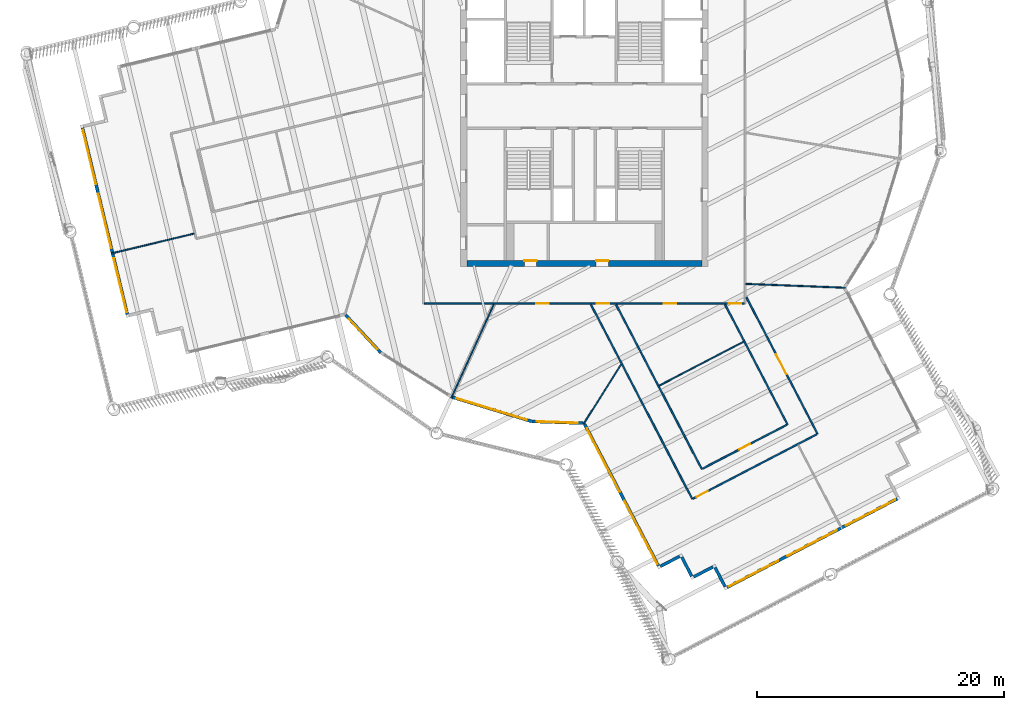
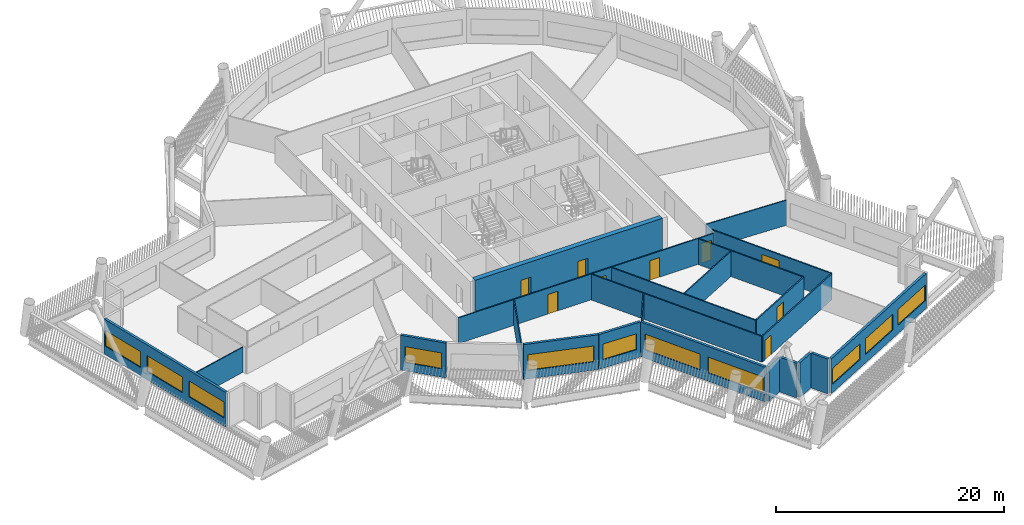
# One storey, part 3 of 22: 23 walls, 11 windows, 9 doors, 20 openings.
"""IFC4 building model written with IfcOpenShell, lengths in metres."""

from ifc_helpers import new_model, si_unit, direction, frame, frame_2d, origin, place, context, subcontext, project, spatial, rectangle, extrude, material, layer, layer_set, type_object, element, fill, save


model = new_model("IFC4")

# Units and contexts
model_context = context("Model", 3, precision=1e-05, world=origin(), true_north=direction((0.0, 1.0)))
body_context = subcontext(model_context, "Body", "Model", "MODEL_VIEW")
ifc_project = project(units=[si_unit("LENGTHUNIT", "METRE"), si_unit("AREAUNIT", "SQUARE_METRE"), si_unit("VOLUMEUNIT", "CUBIC_METRE"), si_unit("PLANEANGLEUNIT", "RADIAN"), si_unit("MASSUNIT", "GRAM", prefix="KILO")], contexts=[model_context])

# Site, building, storey
site_placement = place(None, origin())
site = spatial("IfcSite", under=ifc_project, at=site_placement, CompositionType="ELEMENT")
building_placement = place(site_placement, origin())
building = spatial("IfcBuilding", under=site, at=building_placement, Name="Tarsis Ring Headquarters", CompositionType="ELEMENT")
storey_placement = place(building_placement, frame((0.0, 0.0, 339.199951171875)))
storey = spatial("IfcBuildingStorey", under=building, at=storey_placement, Name="L80", CompositionType="ELEMENT", Elevation=339.199951171875)

# Wall, openings, doors
ifc_material_1 = material(Name="Concrete C50/60", Category="concrete")
ifc_layer_1 = layer(ifc_material_1, 0.5)
ifc_layer_set_1 = layer_set([ifc_layer_1], Name="Core wall 500 C50/60")
wall_type_1 = type_object("IfcWallType", Name="Core wall 500 C50/60", PredefinedType="SHEAR", material=ifc_layer_set_1)
wall_1_placement = place(storey_placement, frame((-9.5, -12.75, 0.0), z_axis=(0.0, 0.0, 1.0), x_axis=(1.0, 0.0, 0.0)))
wall_1 = element("IfcWall", 1, at=wall_1_placement, inside=storey, type_object=wall_type_1, Name="Core wall OS", PredefinedType="SHEAR", context=body_context, shape_type="SweptSolid", body=[
    extrude(rectangle(XDim=19.0, YDim=0.5, at=frame_2d((9.5, 0.0))), origin(), (0.0, 0.0, 1.0), 3.739990234375),
])
opening_1_placement = place(wall_1_placement, frame((4.64990234375, 0.0, 0.0)))
opening_1 = element("IfcOpeningElement", 2, at=opening_1_placement, cuts=wall_1, Name="Opening L80-C17", PredefinedType="OPENING", context=body_context, shape_type="SweptSolid", body=[
    extrude(rectangle(XDim=1.0, YDim=2.10009765625, at=frame_2d((0.5, 1.050048828125))), frame((0.0, 0.260009765625, 0.0), z_axis=(0.0, -1.0, 0.0), x_axis=(1.0, 0.0, 0.0)), (0.0, 0.0, 1.0), 0.52001953125),
])
opening_2_placement = place(wall_1_placement, frame((10.449951171875, 0.0, 0.0)))
opening_2 = element("IfcOpeningElement", 3, at=opening_2_placement, cuts=wall_1, Name="Opening L80-C18", PredefinedType="OPENING", context=body_context, shape_type="SweptSolid", body=[
    extrude(rectangle(XDim=1.0, YDim=2.10009765625, at=frame_2d((0.5, 1.050048828125))), frame((0.0, 0.260009765625, 0.0), z_axis=(0.0, -1.0, 0.0), x_axis=(1.0, 0.0, 0.0)), (0.0, 0.0, 1.0), 0.52001953125),
])
ifc_material_2 = material(Name="Steel S355", Category="steel")
door_type_1 = type_object("IfcDoorType", Name="Core room door 1000x2100", OperationType="SINGLE_SWING_LEFT", PredefinedType="DOOR", material=ifc_material_2)
door_1_placement = place(opening_1_placement, origin())
door_1 = element("IfcDoor", 4, at=door_1_placement, inside=storey, type_object=door_type_1, Name="Core room door L80", OperationType="SINGLE_SWING_LEFT", OverallHeight=2.10009765625, OverallWidth=1.0, PredefinedType="DOOR", context=body_context, shape_type="SweptSolid", body=[
    extrude(rectangle(XDim=1.0, YDim=2.10009765625, at=frame_2d((0.5, 1.050048828125))), frame((0.0, 0.25, 0.0), z_axis=(0.0, -1.0, 0.0), x_axis=(1.0, 0.0, 0.0)), (0.0, 0.0, 1.0), 0.050048828125),
])
fill(opening_1, door_1)
door_2_placement = place(opening_2_placement, origin())
door_2 = element("IfcDoor", 5, at=door_2_placement, inside=storey, type_object=door_type_1, Name="Core room door L80", OperationType="SINGLE_SWING_LEFT", OverallHeight=2.10009765625, OverallWidth=1.0, PredefinedType="DOOR", context=body_context, shape_type="SweptSolid", body=[
    extrude(rectangle(XDim=1.0, YDim=2.10009765625, at=frame_2d((0.5, 1.050048828125))), frame((0.0, 0.25, 0.0), z_axis=(0.0, -1.0, 0.0), x_axis=(1.0, 0.0, 0.0)), (0.0, 0.0, 1.0), 0.050048828125),
])
fill(opening_2, door_2)

# Walls
ifc_material_3 = material(Name="Gypsum board on steel studs", Category="steel")
ifc_layer_2 = layer(ifc_material_3, 0.10009765625)
ifc_layer_set_2 = layer_set([ifc_layer_2], Name="FL partition 100 unrated")
wall_type_2 = type_object("IfcWallType", Name="FL partition 100 unrated", PredefinedType="PARTITIONING", material=ifc_layer_set_2)
wall_2_placement = place(storey_placement, frame((-10.752197265625, -23.615234375, 0.0), z_axis=(0.0, 0.0, 1.0), x_axis=(0.41437106026, 0.910108028983, 0.0)))
element("IfcWall", 6, at=wall_2_placement, inside=storey, type_object=wall_type_2, Name="Partition PW3", PredefinedType="PARTITIONING", context=body_context, shape_type="SweptSolid", body=[
    extrude(rectangle(XDim=8.287353515625, YDim=0.10009765625, at=frame_2d((4.1435546875, 0.0))), origin(), (0.0, 0.0, 1.0), 2.699951171875),
])
wall_3_placement = place(storey_placement, frame((13.070068359375, -14.3994140625, 0.0), z_axis=(0.0, 0.0, 1.0), x_axis=(0.999242280144, -0.038921274035, 0.0)))
element("IfcWall", 7, at=wall_3_placement, inside=storey, type_object=wall_type_2, Name="Partition PW3", PredefinedType="PARTITIONING", context=body_context, shape_type="SweptSolid", body=[
    extrude(rectangle(XDim=8.0478515625, YDim=0.10009765625, at=frame_2d((4.02392578125, 0.0))), origin(), (0.0, 0.0, 1.0), 2.699951171875),
])
wall_4_placement = place(storey_placement, frame((6.06201171875, -22.62939453125, 0.0), z_axis=(0.0, 0.0, 1.0), x_axis=(0.886851670067, 0.462054234154, 0.0)))
element("IfcWall", 8, at=wall_4_placement, inside=storey, type_object=wall_type_2, Name="Partition PW3", PredefinedType="PARTITIONING", context=body_context, shape_type="SweptSolid", body=[
    extrude(rectangle(XDim=7.679931640625, YDim=0.10009765625, at=frame_2d((3.83984375, 0.0))), origin(), (0.0, 0.0, 1.0), 2.699951171875),
])
wall_5_placement = place(storey_placement, frame((-38.21875, -11.935791015625, 0.0), z_axis=(0.0, 0.0, 1.0), x_axis=(0.972280596246, 0.23381711264, 0.0)))
element("IfcWall", 9, at=wall_5_placement, inside=storey, type_object=wall_type_2, Name="Partition PW3", PredefinedType="PARTITIONING", context=body_context, shape_type="SweptSolid", body=[
    extrude(rectangle(XDim=6.860107421875, YDim=0.10009765625, at=frame_2d((3.43017578125, 0.0))), origin(), (0.0, 0.0, 1.0), 2.699951171875),
])
wall_6_placement = place(storey_placement, frame((-0.05029296875, -25.7119140625, 0.0), z_axis=(0.0, 0.0, 1.0), x_axis=(0.53328282747, 0.845937010613, 0.0)))
element("IfcWall", 10, at=wall_6_placement, inside=storey, type_object=wall_type_2, Name="Partition PW3", PredefinedType="PARTITIONING", context=body_context, shape_type="SweptSolid", body=[
    extrude(rectangle(XDim=5.666748046875, YDim=0.10009765625, at=frame_2d((2.83349609375, 0.0))), origin(), (0.0, 0.0, 1.0), 2.699951171875),
])

# Wall, openings, doors
ifc_layer_3 = layer(ifc_material_3, 0.125)
ifc_layer_set_3 = layer_set([ifc_layer_3], Name="FL partition 125 EI 60 H2770")
wall_type_3 = type_object("IfcWallType", Name="FL partition 125 EI 60 H2770", PredefinedType="PARTITIONING", material=ifc_layer_set_3)
wall_7_placement = place(storey_placement, frame((-12.93994140625, -16.0, 0.0), z_axis=(0.0, 0.0, 1.0), x_axis=(1.0, 0.0, 0.0)))
wall_7 = element("IfcWall", 11, at=wall_7_placement, inside=storey, type_object=wall_type_3, Name="Partition PW1", PredefinedType="PARTITIONING", context=body_context, shape_type="SweptSolid", body=[
    extrude(rectangle(XDim=25.8798828125, YDim=0.125, at=frame_2d((12.93994140625, 0.0))), origin(), (0.0, 0.0, 1.0), 2.77001953125),
])
opening_3_placement = place(wall_7_placement, frame((9.04736328125, 0.0, 0.0)))
opening_3 = element("IfcOpeningElement", 12, at=opening_3_placement, cuts=wall_7, Name="Opening D80.11", PredefinedType="OPENING", context=body_context, shape_type="SweptSolid", body=[
    extrude(rectangle(XDim=1.0, YDim=2.10009765625, at=frame_2d((0.5, 1.050048828125))), frame((0.0, 0.072509765625, 0.0), z_axis=(0.0, -1.0, 0.0), x_axis=(1.0, 0.0, 0.0)), (0.0, 0.0, 1.0), 0.14501953125),
])
opening_4_placement = place(wall_7_placement, frame((19.3779296875, 0.0, 0.0)))
opening_4 = element("IfcOpeningElement", 13, at=opening_4_placement, cuts=wall_7, Name="Opening D80.15", PredefinedType="OPENING", context=body_context, shape_type="SweptSolid", body=[
    extrude(rectangle(XDim=1.0, YDim=2.10009765625, at=frame_2d((0.5, 1.050048828125))), frame((0.0, 0.072509765625, 0.0), z_axis=(0.0, -1.0, 0.0), x_axis=(1.0, 0.0, 0.0)), (0.0, 0.0, 1.0), 0.14501953125),
])
opening_5_placement = place(wall_7_placement, frame((13.954345703125, 0.0, 0.0)))
opening_5 = element("IfcOpeningElement", 14, at=opening_5_placement, cuts=wall_7, Name="Opening D80.17", PredefinedType="OPENING", context=body_context, shape_type="SweptSolid", body=[
    extrude(rectangle(XDim=1.0, YDim=2.10009765625, at=frame_2d((0.5, 1.050048828125))), frame((0.0, 0.072509765625, 0.0), z_axis=(0.0, -1.0, 0.0), x_axis=(1.0, 0.0, 0.0)), (0.0, 0.0, 1.0), 0.14501953125),
])
opening_6_placement = place(wall_7_placement, frame((24.61328125, 0.0, 0.0)))
opening_6 = element("IfcOpeningElement", 15, at=opening_6_placement, cuts=wall_7, Name="Opening D80.18", PredefinedType="OPENING", context=body_context, shape_type="SweptSolid", body=[
    extrude(rectangle(XDim=1.0, YDim=2.10009765625, at=frame_2d((0.5, 1.050048828125))), frame((0.0, 0.072509765625, 0.0), z_axis=(0.0, -1.0, 0.0), x_axis=(1.0, 0.0, 0.0)), (0.0, 0.0, 1.0), 0.14501953125),
])
ifc_material_4 = material(Name="Fire-rated timber door leaf in steel frame", Category="steel")
door_type_2 = type_object("IfcDoorType", Name="FL door FD60-1000", OperationType="NOTDEFINED", PredefinedType="DOOR", material=ifc_material_4)
door_3_placement = place(opening_3_placement, origin())
door_3 = element("IfcDoor", 16, at=door_3_placement, inside=storey, type_object=door_type_2, Name="Door D80.11", OperationType="SINGLE_SWING_LEFT", OverallHeight=2.10009765625, OverallWidth=1.0, PredefinedType="DOOR", context=body_context, shape_type="SweptSolid", body=[
    extrude(rectangle(XDim=1.0, YDim=2.10009765625, at=frame_2d((0.5, 1.050048828125))), frame((0.0, 0.02490234375, 0.0), z_axis=(0.0, -1.0, 0.0), x_axis=(1.0, 0.0, 0.0)), (0.0, 0.0, 1.0), 0.050048828125),
])
fill(opening_3, door_3)
door_4_placement = place(opening_4_placement, origin())
door_4 = element("IfcDoor", 17, at=door_4_placement, inside=storey, type_object=door_type_2, Name="Door D80.15", OperationType="SINGLE_SWING_LEFT", OverallHeight=2.10009765625, OverallWidth=1.0, PredefinedType="DOOR", context=body_context, shape_type="SweptSolid", body=[
    extrude(rectangle(XDim=1.0, YDim=2.10009765625, at=frame_2d((0.5, 1.050048828125))), frame((0.0, 0.02490234375, 0.0), z_axis=(0.0, -1.0, 0.0), x_axis=(1.0, 0.0, 0.0)), (0.0, 0.0, 1.0), 0.050048828125),
])
fill(opening_4, door_4)
door_5_placement = place(opening_5_placement, origin())
door_5 = element("IfcDoor", 18, at=door_5_placement, inside=storey, type_object=door_type_2, Name="Door D80.17", OperationType="SINGLE_SWING_LEFT", OverallHeight=2.10009765625, OverallWidth=1.0, PredefinedType="DOOR", context=body_context, shape_type="SweptSolid", body=[
    extrude(rectangle(XDim=1.0, YDim=2.10009765625, at=frame_2d((0.5, 1.050048828125))), frame((0.0, 0.02490234375, 0.0), z_axis=(0.0, -1.0, 0.0), x_axis=(1.0, 0.0, 0.0)), (0.0, 0.0, 1.0), 0.050048828125),
])
fill(opening_5, door_5)
door_6_placement = place(opening_6_placement, origin())
door_6 = element("IfcDoor", 19, at=door_6_placement, inside=storey, type_object=door_type_2, Name="Door D80.18", OperationType="SINGLE_SWING_RIGHT", OverallHeight=2.10009765625, OverallWidth=1.0, PredefinedType="DOOR", context=body_context, shape_type="SweptSolid", body=[
    extrude(rectangle(XDim=1.0, YDim=2.10009765625, at=frame_2d((0.5, 1.050048828125))), frame((0.0, 0.02490234375, 0.0), z_axis=(0.0, -1.0, 0.0), x_axis=(1.0, 0.0, 0.0)), (0.0, 0.0, 1.0), 0.050048828125),
])
fill(opening_6, door_6)

# Walls
wall_8_placement = place(storey_placement, frame((0.541015625, -16.079833984375, 0.0), z_axis=(0.0, 0.0, 1.0), x_axis=(0.462061914962, -0.886847668285, 0.0)))
element("IfcWall", 20, at=wall_8_placement, inside=storey, type_object=wall_type_3, Name="Partition PW1", PredefinedType="PARTITIONING", context=body_context, shape_type="SweptSolid", body=[
    extrude(rectangle(XDim=17.7294921875, YDim=0.125, at=frame_2d((8.86474609375, 0.0))), origin(), (0.0, 0.0, 1.0), 2.77001953125),
])
wall_9_placement = place(storey_placement, frame((2.57080078125, -16.079833984375, 0.0), z_axis=(0.0, 0.0, 1.0), x_axis=(0.462055576594, -0.886850970647, 0.0)))
element("IfcWall", 21, at=wall_9_placement, inside=storey, type_object=wall_type_3, Name="Partition PW1", PredefinedType="PARTITIONING", context=body_context, shape_type="SweptSolid", body=[
    extrude(rectangle(XDim=14.99169921875, YDim=0.125, at=frame_2d((7.495849609375, 0.0))), origin(), (0.0, 0.0, 1.0), 2.77001953125),
])

# Wall, opening, door
wall_10_placement = place(storey_placement, frame((13.106201171875, -15.4814453125, 0.0), z_axis=(0.0, 0.0, 1.0), x_axis=(0.462072869652, -0.886841960628, 0.0)))
wall_10 = element("IfcWall", 22, at=wall_10_placement, inside=storey, type_object=wall_type_3, Name="Partition PW1", PredefinedType="PARTITIONING", context=body_context, shape_type="SweptSolid", body=[
    extrude(rectangle(XDim=12.45458984375, YDim=0.125, at=frame_2d((6.227294921875, 0.0))), origin(), (0.0, 0.0, 1.0), 2.77001953125),
])
opening_7_placement = place(wall_10_placement, frame((5.212158203125, 0.0, 0.0)))
opening_7 = element("IfcOpeningElement", 23, at=opening_7_placement, cuts=wall_10, Name="Opening D80.09", PredefinedType="OPENING", context=body_context, shape_type="SweptSolid", body=[
    extrude(rectangle(XDim=1.800048828125, YDim=2.10009765625, at=frame_2d((0.89990234375, 1.050048828125))), frame((0.0, 0.072509765625, 0.0), z_axis=(0.0, -1.0, 0.0), x_axis=(1.0, 0.0, 0.0)), (0.0, 0.0, 1.0), 0.14501953125),
])
door_type_3 = type_object("IfcDoorType", Name="FL door FD60-1800", OperationType="DOUBLE_DOOR_SINGLE_SWING", PredefinedType="DOOR", material=ifc_material_4)
door_7_placement = place(opening_7_placement, origin())
door_7 = element("IfcDoor", 24, at=door_7_placement, inside=storey, type_object=door_type_3, Name="Door D80.09", OperationType="DOUBLE_DOOR_SINGLE_SWING", OverallHeight=2.10009765625, OverallWidth=1.800048828125, PredefinedType="DOOR", context=body_context, shape_type="SweptSolid", body=[
    extrude(rectangle(XDim=1.800048828125, YDim=2.10009765625, at=frame_2d((0.89990234375, 1.050048828125))), frame((0.0, 0.02490234375, 0.0), z_axis=(0.0, -1.0, 0.0), x_axis=(1.0, 0.0, 0.0)), (0.0, 0.0, 1.0), 0.050048828125),
])
fill(opening_7, door_7)

wall_11_placement = place(storey_placement, frame((8.786376953125, -31.775634765625, 0.0), z_axis=(0.0, 0.0, 1.0), x_axis=(0.886853590627, 0.462050547875, 0.0)))
wall_11 = element("IfcWall", 25, at=wall_11_placement, inside=storey, type_object=wall_type_3, Name="Partition PW1", PredefinedType="PARTITIONING", context=body_context, shape_type="SweptSolid", body=[
    extrude(rectangle(XDim=11.300048828125, YDim=0.125, at=frame_2d((5.64990234375, 0.0))), origin(), (0.0, 0.0, 1.0), 2.77001953125),
])
opening_8_placement = place(wall_11_placement, frame((0.340087890625, 0.0, 0.0)))
opening_8 = element("IfcOpeningElement", 26, at=opening_8_placement, cuts=wall_11, Name="Opening D80.10", PredefinedType="OPENING", context=body_context, shape_type="SweptSolid", body=[
    extrude(rectangle(XDim=1.0, YDim=2.10009765625, at=frame_2d((0.5, 1.050048828125))), frame((0.0, 0.072509765625, 0.0), z_axis=(0.0, -1.0, 0.0), x_axis=(1.0, 0.0, 0.0)), (0.0, 0.0, 1.0), 0.14501953125),
])
door_8_placement = place(opening_8_placement, origin())
door_8 = element("IfcDoor", 27, at=door_8_placement, inside=storey, type_object=door_type_2, Name="Door D80.10", OperationType="SINGLE_SWING_RIGHT", OverallHeight=2.10009765625, OverallWidth=1.0, PredefinedType="DOOR", context=body_context, shape_type="SweptSolid", body=[
    extrude(rectangle(XDim=1.0, YDim=2.10009765625, at=frame_2d((0.5, 1.050048828125))), frame((0.0, 0.02490234375, 0.0), z_axis=(0.0, -1.0, 0.0), x_axis=(1.0, 0.0, 0.0)), (0.0, 0.0, 1.0), 0.050048828125),
])
fill(opening_8, door_8)

# Wall
wall_12_placement = place(storey_placement, frame((11.388427734375, -16.079833984375, 0.0), z_axis=(0.0, 0.0, 1.0), x_axis=(0.462053884886, -0.886851852037, 0.0)))
element("IfcWall", 28, at=wall_12_placement, inside=storey, type_object=wall_type_3, Name="Partition PW1", PredefinedType="PARTITIONING", context=body_context, shape_type="SweptSolid", body=[
    extrude(rectangle(XDim=10.91748046875, YDim=0.125, at=frame_2d((5.458740234375, 0.0))), origin(), (0.0, 0.0, 1.0), 2.77001953125),
])

# Wall, opening, door
wall_13_placement = place(storey_placement, frame((9.551025390625, -29.34765625, 0.0), z_axis=(0.0, 0.0, 1.0), x_axis=(0.886845334308, 0.462066394597, 0.0)))
wall_13 = element("IfcWall", 29, at=wall_13_placement, inside=storey, type_object=wall_type_3, Name="Partition PW1", PredefinedType="PARTITIONING", context=body_context, shape_type="SweptSolid", body=[
    extrude(rectangle(XDim=7.699951171875, YDim=0.125, at=frame_2d((3.85009765625, 0.0))), origin(), (0.0, 0.0, 1.0), 2.77001953125),
])
opening_9_placement = place(wall_13_placement, frame((3.35009765625, 0.0, 0.0)))
opening_9 = element("IfcOpeningElement", 30, at=opening_9_placement, cuts=wall_13, Name="Opening D80.16", PredefinedType="OPENING", context=body_context, shape_type="SweptSolid", body=[
    extrude(rectangle(XDim=1.0, YDim=2.10009765625, at=frame_2d((0.5, 1.050048828125))), frame((0.0, 0.072509765625, 0.0), z_axis=(0.0, -1.0, 0.0), x_axis=(1.0, 0.0, 0.0)), (0.0, 0.0, 1.0), 0.14501953125),
])
door_9_placement = place(opening_9_placement, origin())
door_9 = element("IfcDoor", 31, at=door_9_placement, inside=storey, type_object=door_type_2, Name="Door D80.16", OperationType="SINGLE_SWING_RIGHT", OverallHeight=2.10009765625, OverallWidth=1.0, PredefinedType="DOOR", context=body_context, shape_type="SweptSolid", body=[
    extrude(rectangle(XDim=1.0, YDim=2.10009765625, at=frame_2d((0.5, 1.050048828125))), frame((0.0, 0.02490234375, 0.0), z_axis=(0.0, -1.0, 0.0), x_axis=(1.0, 0.0, 0.0)), (0.0, 0.0, 1.0), 0.050048828125),
])
fill(opening_9, door_9)

# Wall, opening, window
ifc_material_5 = material(Name="Terracotta clad insulated panel wall", Category="masonry")
ifc_layer_4 = layer(ifc_material_5, 0.25)
ifc_layer_set_4 = layer_set([ifc_layer_4], Name="Facade wall terracotta panel 250")
wall_type_4 = type_object("IfcWallType", Name="Facade wall terracotta panel 250", PredefinedType="STANDARD", material=ifc_layer_set_4)
wall_14_placement = place(storey_placement, frame((-19.298583984375, -16.9189453125, 0.0), z_axis=(0.0, 0.0, 1.0), x_axis=(0.682226187519, -0.731141182716, 0.0)))
wall_14 = element("IfcWall", 32, at=wall_14_placement, inside=storey, type_object=wall_type_4, Name="External wall L80-02", PredefinedType="STANDARD", context=body_context, shape_type="SweptSolid", body=[
    extrude(rectangle(XDim=4.15771484375, YDim=0.25, at=frame_2d((2.078857421875, 0.0))), origin(), (0.0, 0.0, 1.0), 3.739990234375),
])
opening_10_placement = place(wall_14_placement, frame((0.420166015625, 0.0, 0.89990234375)))
opening_10 = element("IfcOpeningElement", 33, at=opening_10_placement, cuts=wall_14, Name="Opening WN01", PredefinedType="OPENING", context=body_context, shape_type="SweptSolid", body=[
    extrude(rectangle(XDim=3.35009765625, YDim=1.699951171875, at=frame_2d((1.675048828125, 0.85009765625))), frame((0.0, 0.135009765625, 0.0), z_axis=(0.0, -1.0, 0.0), x_axis=(1.0, 0.0, 0.0)), (0.0, 0.0, 1.0), 0.27001953125),
])
ifc_material_6 = material(Name="Aluminium framed double glazing", Category="aluminium")
window_type_1 = type_object("IfcWindowType", Name="Facade window 3350 x 1700", PartitioningType="SINGLE_PANEL", PredefinedType="WINDOW", material=ifc_material_6)
window_1_placement = place(opening_10_placement, origin())
window_1 = element("IfcWindow", 34, at=window_1_placement, inside=storey, type_object=window_type_1, Name="Window L80-02.1", OverallHeight=1.699951171875, OverallWidth=3.35009765625, PartitioningType="SINGLE_PANEL", PredefinedType="WINDOW", context=body_context, shape_type="SweptSolid", body=[
    extrude(rectangle(XDim=3.35009765625, YDim=1.699951171875, at=frame_2d((1.675048828125, 0.85009765625))), frame((0.0, 0.030029296875, 0.0), z_axis=(0.0, -1.0, 0.0), x_axis=(1.0, 0.0, 0.0)), (0.0, 0.0, 1.0), 0.06005859375),
])
fill(opening_10, window_1)

wall_15_placement = place(storey_placement, frame((-10.705810546875, -23.552734375, 0.0), z_axis=(0.0, 0.0, 1.0), x_axis=(0.956398083046, -0.292066271155, 0.0)))
wall_15 = element("IfcWall", 35, at=wall_15_placement, inside=storey, type_object=wall_type_4, Name="External wall L80-04", PredefinedType="STANDARD", context=body_context, shape_type="SweptSolid", body=[
    extrude(rectangle(XDim=6.721435546875, YDim=0.25, at=frame_2d((3.36083984375, 0.0))), origin(), (0.0, 0.0, 1.0), 3.739990234375),
])
opening_11_placement = place(wall_15_placement, frame((0.3857421875, 0.0, 0.89990234375)))
opening_11 = element("IfcOpeningElement", 36, at=opening_11_placement, cuts=wall_15, Name="Opening WN07", PredefinedType="OPENING", context=body_context, shape_type="SweptSolid", body=[
    extrude(rectangle(XDim=5.949951171875, YDim=1.699951171875, at=frame_2d((2.97509765625, 0.85009765625))), frame((0.0, 0.135009765625, 0.0), z_axis=(0.0, -1.0, 0.0), x_axis=(1.0, 0.0, 0.0)), (0.0, 0.0, 1.0), 0.27001953125),
])
window_type_2 = type_object("IfcWindowType", Name="Facade window 5950 x 1700", PartitioningType="SINGLE_PANEL", PredefinedType="WINDOW", material=ifc_material_6)
window_2_placement = place(opening_11_placement, origin())
window_2 = element("IfcWindow", 37, at=window_2_placement, inside=storey, type_object=window_type_2, Name="Window L80-04.1", OverallHeight=1.699951171875, OverallWidth=5.949951171875, PartitioningType="SINGLE_PANEL", PredefinedType="WINDOW", context=body_context, shape_type="SweptSolid", body=[
    extrude(rectangle(XDim=5.949951171875, YDim=1.699951171875, at=frame_2d((2.97509765625, 0.85009765625))), frame((0.0, 0.030029296875, 0.0), z_axis=(0.0, -1.0, 0.0), x_axis=(1.0, 0.0, 0.0)), (0.0, 0.0, 1.0), 0.06005859375),
])
fill(opening_11, window_2)

wall_16_placement = place(storey_placement, frame((-4.2451171875, -25.521240234375, 0.0), z_axis=(0.0, 0.0, 1.0), x_axis=(0.999403695637, -0.034529018922, 0.0)))
wall_16 = element("IfcWall", 38, at=wall_16_placement, inside=storey, type_object=wall_type_4, Name="External wall L80-05", PredefinedType="STANDARD", context=body_context, shape_type="SweptSolid", body=[
    extrude(rectangle(XDim=4.157470703125, YDim=0.25, at=frame_2d((2.07861328125, 0.0))), origin(), (0.0, 0.0, 1.0), 3.739990234375),
])
opening_12_placement = place(wall_16_placement, frame((0.38720703125, 0.0, 0.89990234375)))
opening_12 = element("IfcOpeningElement", 39, at=opening_12_placement, cuts=wall_16, Name="Opening WN01", PredefinedType="OPENING", context=body_context, shape_type="SweptSolid", body=[
    extrude(rectangle(XDim=3.35009765625, YDim=1.699951171875, at=frame_2d((1.675048828125, 0.85009765625))), frame((0.0, 0.135009765625, 0.0), z_axis=(0.0, -1.0, 0.0), x_axis=(1.0, 0.0, 0.0)), (0.0, 0.0, 1.0), 0.27001953125),
])
window_3_placement = place(opening_12_placement, origin())
window_3 = element("IfcWindow", 40, at=window_3_placement, inside=storey, type_object=window_type_1, Name="Window L80-05.1", OverallHeight=1.699951171875, OverallWidth=3.35009765625, PartitioningType="SINGLE_PANEL", PredefinedType="WINDOW", context=body_context, shape_type="SweptSolid", body=[
    extrude(rectangle(XDim=3.35009765625, YDim=1.699951171875, at=frame_2d((1.675048828125, 0.85009765625))), frame((0.0, 0.030029296875, 0.0), z_axis=(0.0, -1.0, 0.0), x_axis=(1.0, 0.0, 0.0)), (0.0, 0.0, 1.0), 0.06005859375),
])
fill(opening_12, window_3)

# Wall, openings, windows
wall_17_placement = place(storey_placement, frame((0.0166015625, -25.73193359375, 0.0), z_axis=(0.0, 0.0, 1.0), x_axis=(0.462054547348, -0.886851506891, 0.0)))
wall_17 = element("IfcWall", 41, at=wall_17_placement, inside=storey, type_object=wall_type_4, Name="External wall L80-06", PredefinedType="STANDARD", context=body_context, shape_type="SweptSolid", body=[
    extrude(rectangle(XDim=12.922119140625, YDim=0.25, at=frame_2d((6.4609375, 0.0))), origin(), (0.0, 0.0, 1.0), 3.739990234375),
])
opening_13_placement = place(wall_17_placement, frame((0.41796875, 0.0, 0.89990234375)))
opening_13 = element("IfcOpeningElement", 42, at=opening_13_placement, cuts=wall_17, Name="Opening WN06", PredefinedType="OPENING", context=body_context, shape_type="SweptSolid", body=[
    extrude(rectangle(XDim=5.75, YDim=1.699951171875, at=frame_2d((2.875, 0.85009765625))), frame((0.0, 0.135009765625, 0.0), z_axis=(0.0, -1.0, 0.0), x_axis=(1.0, 0.0, 0.0)), (0.0, 0.0, 1.0), 0.27001953125),
])
opening_14_placement = place(wall_17_placement, frame((7.00390625, 0.0, 0.89990234375)))
opening_14 = element("IfcOpeningElement", 43, at=opening_14_placement, cuts=wall_17, Name="Opening WN06", PredefinedType="OPENING", context=body_context, shape_type="SweptSolid", body=[
    extrude(rectangle(XDim=5.75, YDim=1.699951171875, at=frame_2d((2.875, 0.85009765625))), frame((0.0, 0.135009765625, 0.0), z_axis=(0.0, -1.0, 0.0), x_axis=(1.0, 0.0, 0.0)), (0.0, 0.0, 1.0), 0.27001953125),
])
window_type_3 = type_object("IfcWindowType", Name="Facade window 5750 x 1700", PartitioningType="SINGLE_PANEL", PredefinedType="WINDOW", material=ifc_material_6)
window_4_placement = place(opening_13_placement, origin())
window_4 = element("IfcWindow", 44, at=window_4_placement, inside=storey, type_object=window_type_3, Name="Window L80-06.1", OverallHeight=1.699951171875, OverallWidth=5.75, PartitioningType="SINGLE_PANEL", PredefinedType="WINDOW", context=body_context, shape_type="SweptSolid", body=[
    extrude(rectangle(XDim=5.75, YDim=1.699951171875, at=frame_2d((2.875, 0.85009765625))), frame((0.0, 0.030029296875, 0.0), z_axis=(0.0, -1.0, 0.0), x_axis=(1.0, 0.0, 0.0)), (0.0, 0.0, 1.0), 0.06005859375),
])
fill(opening_13, window_4)
window_5_placement = place(opening_14_placement, origin())
window_5 = element("IfcWindow", 45, at=window_5_placement, inside=storey, type_object=window_type_3, Name="Window L80-06.2", OverallHeight=1.699951171875, OverallWidth=5.75, PartitioningType="SINGLE_PANEL", PredefinedType="WINDOW", context=body_context, shape_type="SweptSolid", body=[
    extrude(rectangle(XDim=5.75, YDim=1.699951171875, at=frame_2d((2.875, 0.85009765625))), frame((0.0, 0.030029296875, 0.0), z_axis=(0.0, -1.0, 0.0), x_axis=(1.0, 0.0, 0.0)), (0.0, 0.0, 1.0), 0.06005859375),
])
fill(opening_14, window_5)

# Walls
for number, where, z_axis, x_axis, name in (
    (46, (6.15576171875, -37.244873046875, 0.0), (0.0, 0.0, 1.0), (0.886853348302, 0.46205101299, 0.0), "External wall L80-07"),
    (47, (7.87646484375, -36.489501953125, 0.0), (0.0, 0.0, 1.0), (0.46205101299, -0.886853348302, 0.0), "External wall L80-08"),
    (48, (8.853759765625, -38.094482421875, 0.0), (0.0, 0.0, 1.0), (0.886853348302, 0.46205101299, 0.0), "External wall L80-09"),
):
    element("IfcWall", number, at=place(storey_placement, frame(where, z_axis=z_axis, x_axis=x_axis)), inside=storey, type_object=wall_type_4, Name=name, PredefinedType="STANDARD", context=body_context, shape_type="SweptSolid", body=[
        extrude(rectangle(XDim=1.75, YDim=0.25, at=frame_2d((0.875, 0.0))), origin(), (0.0, 0.0, 1.0), 3.739990234375),
    ])
wall_18_placement = place(storey_placement, frame((10.57421875, -37.339111328125, 0.0), z_axis=(0.0, 0.0, 1.0), x_axis=(0.462108185568, -0.886823559019, 0.0)))
element("IfcWall", 49, at=wall_18_placement, inside=storey, type_object=wall_type_4, Name="External wall L80-10", PredefinedType="STANDARD", context=body_context, shape_type="SweptSolid", body=[
    extrude(rectangle(XDim=1.749755859375, YDim=0.25, at=frame_2d((0.875, 0.0))), origin(), (0.0, 0.0, 1.0), 3.739990234375),
])

# Wall, openings, windows
wall_19_placement = place(storey_placement, frame((11.551513671875, -38.944091796875, 0.0), z_axis=(0.0, 0.0, 1.0), x_axis=(0.886849543892, 0.462058315041, 0.0)))
wall_19 = element("IfcWall", 50, at=wall_19_placement, inside=storey, type_object=wall_type_4, Name="External wall L80-11", PredefinedType="STANDARD", context=body_context, shape_type="SweptSolid", body=[
    extrude(rectangle(XDim=15.5, YDim=0.25, at=frame_2d((7.75, 0.0))), origin(), (0.0, 0.0, 1.0), 3.739990234375),
])
opening_15_placement = place(wall_19_placement, frame((0.166748046875, 0.0, 0.89990234375)))
opening_15 = element("IfcOpeningElement", 51, at=opening_15_placement, cuts=wall_19, Name="Opening WN04", PredefinedType="OPENING", context=body_context, shape_type="SweptSolid", body=[
    extrude(rectangle(XDim=4.5, YDim=1.699951171875, at=frame_2d((2.25, 0.85009765625))), frame((0.0, 0.135009765625, 0.0), z_axis=(0.0, -1.0, 0.0), x_axis=(1.0, 0.0, 0.0)), (0.0, 0.0, 1.0), 0.27001953125),
])
opening_16_placement = place(wall_19_placement, frame((5.5, 0.0, 0.89990234375)))
opening_16 = element("IfcOpeningElement", 52, at=opening_16_placement, cuts=wall_19, Name="Opening WN04", PredefinedType="OPENING", context=body_context, shape_type="SweptSolid", body=[
    extrude(rectangle(XDim=4.5, YDim=1.699951171875, at=frame_2d((2.25, 0.85009765625))), frame((0.0, 0.135009765625, 0.0), z_axis=(0.0, -1.0, 0.0), x_axis=(1.0, 0.0, 0.0)), (0.0, 0.0, 1.0), 0.27001953125),
])
opening_17_placement = place(wall_19_placement, frame((10.833251953125, 0.0, 0.89990234375)))
opening_17 = element("IfcOpeningElement", 53, at=opening_17_placement, cuts=wall_19, Name="Opening WN04", PredefinedType="OPENING", context=body_context, shape_type="SweptSolid", body=[
    extrude(rectangle(XDim=4.5, YDim=1.699951171875, at=frame_2d((2.25, 0.85009765625))), frame((0.0, 0.135009765625, 0.0), z_axis=(0.0, -1.0, 0.0), x_axis=(1.0, 0.0, 0.0)), (0.0, 0.0, 1.0), 0.27001953125),
])
window_type_4 = type_object("IfcWindowType", Name="Facade window 4500 x 1700", PartitioningType="SINGLE_PANEL", PredefinedType="WINDOW", material=ifc_material_6)
window_6_placement = place(opening_15_placement, origin())
window_6 = element("IfcWindow", 54, at=window_6_placement, inside=storey, type_object=window_type_4, Name="Window L80-11.1", OverallHeight=1.699951171875, OverallWidth=4.5, PartitioningType="SINGLE_PANEL", PredefinedType="WINDOW", context=body_context, shape_type="SweptSolid", body=[
    extrude(rectangle(XDim=4.5, YDim=1.699951171875, at=frame_2d((2.25, 0.85009765625))), frame((0.0, 0.030029296875, 0.0), z_axis=(0.0, -1.0, 0.0), x_axis=(1.0, 0.0, 0.0)), (0.0, 0.0, 1.0), 0.06005859375),
])
fill(opening_15, window_6)
window_7_placement = place(opening_16_placement, origin())
window_7 = element("IfcWindow", 55, at=window_7_placement, inside=storey, type_object=window_type_4, Name="Window L80-11.2", OverallHeight=1.699951171875, OverallWidth=4.5, PartitioningType="SINGLE_PANEL", PredefinedType="WINDOW", context=body_context, shape_type="SweptSolid", body=[
    extrude(rectangle(XDim=4.5, YDim=1.699951171875, at=frame_2d((2.25, 0.85009765625))), frame((0.0, 0.030029296875, 0.0), z_axis=(0.0, -1.0, 0.0), x_axis=(1.0, 0.0, 0.0)), (0.0, 0.0, 1.0), 0.06005859375),
])
fill(opening_16, window_7)
window_8_placement = place(opening_17_placement, origin())
window_8 = element("IfcWindow", 56, at=window_8_placement, inside=storey, type_object=window_type_4, Name="Window L80-11.3", OverallHeight=1.699951171875, OverallWidth=4.5, PartitioningType="SINGLE_PANEL", PredefinedType="WINDOW", context=body_context, shape_type="SweptSolid", body=[
    extrude(rectangle(XDim=4.5, YDim=1.699951171875, at=frame_2d((2.25, 0.85009765625))), frame((0.0, 0.030029296875, 0.0), z_axis=(0.0, -1.0, 0.0), x_axis=(1.0, 0.0, 0.0)), (0.0, 0.0, 1.0), 0.06005859375),
])
fill(opening_17, window_8)

wall_20_placement = place(storey_placement, frame((-40.581787109375, -1.786865234375, 0.0), z_axis=(0.0, 0.0, 1.0), x_axis=(0.233775642149, -0.972290568265, 0.0)))
wall_20 = element("IfcWall", 57, at=wall_20_placement, inside=storey, type_object=wall_type_4, Name="External wall L80-36", PredefinedType="STANDARD", context=body_context, shape_type="SweptSolid", body=[
    extrude(rectangle(XDim=15.5, YDim=0.25, at=frame_2d((7.75, 0.0))), origin(), (0.0, 0.0, 1.0), 3.739990234375),
])
opening_18_placement = place(wall_20_placement, frame((0.166748046875, 0.0, 0.89990234375)))
opening_18 = element("IfcOpeningElement", 58, at=opening_18_placement, cuts=wall_20, Name="Opening WN04", PredefinedType="OPENING", context=body_context, shape_type="SweptSolid", body=[
    extrude(rectangle(XDim=4.5, YDim=1.699951171875, at=frame_2d((2.25, 0.85009765625))), frame((0.0, 0.135009765625, 0.0), z_axis=(0.0, -1.0, 0.0), x_axis=(1.0, 0.0, 0.0)), (0.0, 0.0, 1.0), 0.27001953125),
])
opening_19_placement = place(wall_20_placement, frame((5.5, 0.0, 0.89990234375)))
opening_19 = element("IfcOpeningElement", 59, at=opening_19_placement, cuts=wall_20, Name="Opening WN04", PredefinedType="OPENING", context=body_context, shape_type="SweptSolid", body=[
    extrude(rectangle(XDim=4.5, YDim=1.699951171875, at=frame_2d((2.25, 0.85009765625))), frame((0.0, 0.135009765625, 0.0), z_axis=(0.0, -1.0, 0.0), x_axis=(1.0, 0.0, 0.0)), (0.0, 0.0, 1.0), 0.27001953125),
])
opening_20_placement = place(wall_20_placement, frame((10.833251953125, 0.0, 0.89990234375)))
opening_20 = element("IfcOpeningElement", 60, at=opening_20_placement, cuts=wall_20, Name="Opening WN04", PredefinedType="OPENING", context=body_context, shape_type="SweptSolid", body=[
    extrude(rectangle(XDim=4.5, YDim=1.699951171875, at=frame_2d((2.25, 0.85009765625))), frame((0.0, 0.135009765625, 0.0), z_axis=(0.0, -1.0, 0.0), x_axis=(1.0, 0.0, 0.0)), (0.0, 0.0, 1.0), 0.27001953125),
])
window_9_placement = place(opening_18_placement, origin())
window_9 = element("IfcWindow", 61, at=window_9_placement, inside=storey, type_object=window_type_4, Name="Window L80-36.1", OverallHeight=1.699951171875, OverallWidth=4.5, PartitioningType="SINGLE_PANEL", PredefinedType="WINDOW", context=body_context, shape_type="SweptSolid", body=[
    extrude(rectangle(XDim=4.5, YDim=1.699951171875, at=frame_2d((2.25, 0.85009765625))), frame((0.0, 0.030029296875, 0.0), z_axis=(0.0, -1.0, 0.0), x_axis=(1.0, 0.0, 0.0)), (0.0, 0.0, 1.0), 0.06005859375),
])
fill(opening_18, window_9)
window_10_placement = place(opening_19_placement, origin())
window_10 = element("IfcWindow", 62, at=window_10_placement, inside=storey, type_object=window_type_4, Name="Window L80-36.2", OverallHeight=1.699951171875, OverallWidth=4.5, PartitioningType="SINGLE_PANEL", PredefinedType="WINDOW", context=body_context, shape_type="SweptSolid", body=[
    extrude(rectangle(XDim=4.5, YDim=1.699951171875, at=frame_2d((2.25, 0.85009765625))), frame((0.0, 0.030029296875, 0.0), z_axis=(0.0, -1.0, 0.0), x_axis=(1.0, 0.0, 0.0)), (0.0, 0.0, 1.0), 0.06005859375),
])
fill(opening_19, window_10)
window_11_placement = place(opening_20_placement, origin())
window_11 = element("IfcWindow", 63, at=window_11_placement, inside=storey, type_object=window_type_4, Name="Window L80-36.3", OverallHeight=1.699951171875, OverallWidth=4.5, PartitioningType="SINGLE_PANEL", PredefinedType="WINDOW", context=body_context, shape_type="SweptSolid", body=[
    extrude(rectangle(XDim=4.5, YDim=1.699951171875, at=frame_2d((2.25, 0.85009765625))), frame((0.0, 0.030029296875, 0.0), z_axis=(0.0, -1.0, 0.0), x_axis=(1.0, 0.0, 0.0)), (0.0, 0.0, 1.0), 0.06005859375),
])
fill(opening_20, window_11)

save(model, "model.ifc")
